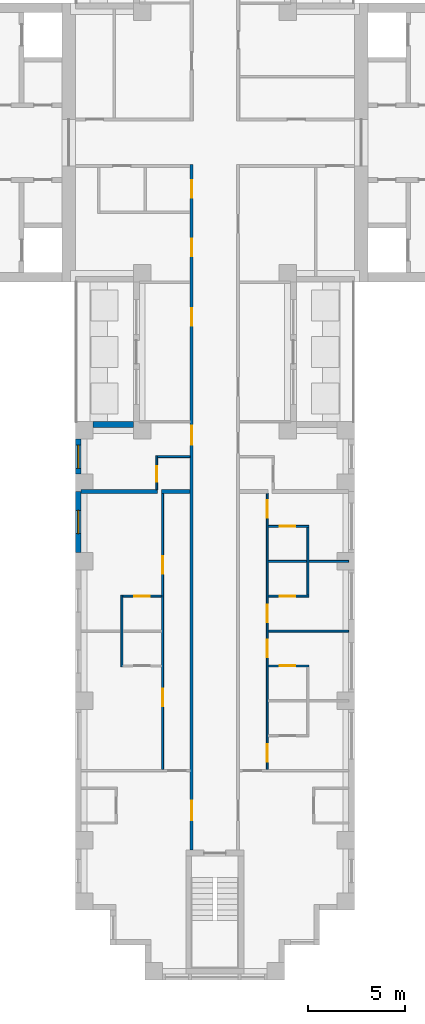
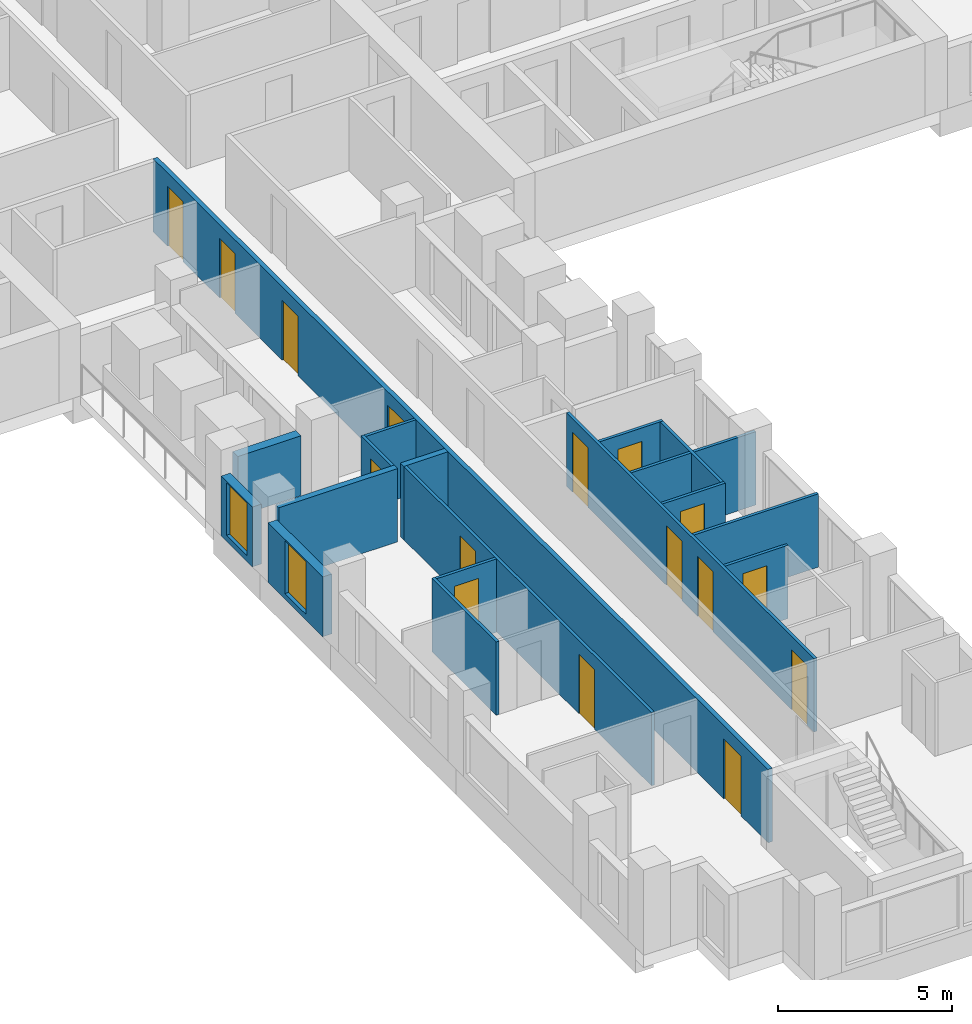
# One storey, part 4 of 15: 18 walls, 16 doors, 2 windows, 18 openings.
"""IFC4 building model written with IfcOpenShell, lengths in metres."""

from ifc_helpers import new_model, si_unit, direction, frame, frame_2d, origin, place, context, subcontext, project, spatial, rectangle, extrude, material, layer, layer_set, type_object, element, fill, save


model = new_model("IFC4")

# Units and contexts
model_context = context("Model", 3, precision=1e-05, world=origin(), true_north=direction((0.0, 1.0)))
body_context = subcontext(model_context, "Body", "Model", "MODEL_VIEW")
ifc_project = project(units=[si_unit("LENGTHUNIT", "METRE"), si_unit("AREAUNIT", "SQUARE_METRE"), si_unit("VOLUMEUNIT", "CUBIC_METRE"), si_unit("PLANEANGLEUNIT", "RADIAN"), si_unit("MASSUNIT", "GRAM", prefix="KILO")], contexts=[model_context])

# Site, building, storey
site_placement = place(None, origin())
site = spatial("IfcSite", under=ifc_project, at=site_placement, CompositionType="ELEMENT")
building_placement = place(site_placement, origin())
building = spatial("IfcBuilding", under=site, at=building_placement, Name="Fustian Cross Tower", CompositionType="ELEMENT")
storey_placement = place(building_placement, frame((0.0, 0.0, 29.699951171875)))
storey = spatial("IfcBuildingStorey", under=building, at=storey_placement, Name="L08", CompositionType="ELEMENT", Elevation=29.699951171875)

# Wall, openings, doors
ifc_material_1 = material(Name="Plasterboard on steel stud", Category="steel")
ifc_layer_1 = layer(ifc_material_1, 0.14990234375)
ifc_layer_set_1 = layer_set([ifc_layer_1], Name="Plasterboard on steel stud")
wall_type_1 = type_object("IfcWallType", Name="COMPARTMENT WALL 150 EI 60", PredefinedType="PARTITIONING", material=ifc_layer_set_1)
wall_1_placement = place(storey_placement, frame((-1.199951171875, -36.5, 0.0), z_axis=(0.0, 0.0, 1.0), x_axis=(0.0, 1.0, 0.0)))
wall_1 = element("IfcWall", 1, at=wall_1_placement, inside=storey, type_object=wall_type_1, Name="Partition 45", PredefinedType="PARTITIONING", context=body_context, shape_type="SweptSolid", body=[
    extrude(rectangle(XDim=35.375, YDim=0.14990234375, at=frame_2d((17.6875, 0.0))), origin(), (0.0, 0.0, 1.0), 2.574951171875),
])
opening_1_placement = place(wall_1_placement, frame((33.64990234375, 0.0, 0.0)))
opening_1 = element("IfcOpeningElement", 2, at=opening_1_placement, cuts=wall_1, Name="Opening D06007", PredefinedType="OPENING", context=body_context, shape_type="SweptSolid", body=[
    extrude(rectangle(XDim=0.89990234375, YDim=2.10009765625, at=frame_2d((0.449951171875, 1.050048828125))), frame((0.0, 0.0849609375, 0.0), z_axis=(0.0, -1.0, 0.0), x_axis=(1.0, 0.0, 0.0)), (0.0, 0.0, 1.0), 0.169921875),
])
opening_2_placement = place(wall_1_placement, frame((30.64990234375, 0.0, 0.0)))
opening_2 = element("IfcOpeningElement", 3, at=opening_2_placement, cuts=wall_1, Name="Opening D06009", PredefinedType="OPENING", context=body_context, shape_type="SweptSolid", body=[
    extrude(rectangle(XDim=0.89990234375, YDim=2.10009765625, at=frame_2d((0.449951171875, 1.050048828125))), frame((0.0, 0.0849609375, 0.0), z_axis=(0.0, -1.0, 0.0), x_axis=(1.0, 0.0, 0.0)), (0.0, 0.0, 1.0), 0.169921875),
])
opening_3_placement = place(wall_1_placement, frame((27.050048828125, 0.0, 0.0)))
opening_3 = element("IfcOpeningElement", 4, at=opening_3_placement, cuts=wall_1, Name="Opening D06062", PredefinedType="OPENING", context=body_context, shape_type="SweptSolid", body=[
    extrude(rectangle(XDim=0.89990234375, YDim=2.10009765625, at=frame_2d((0.449951171875, 1.050048828125))), frame((0.0, 0.0849609375, 0.0), z_axis=(0.0, -1.0, 0.0), x_axis=(1.0, 0.0, 0.0)), (0.0, 0.0, 1.0), 0.169921875),
])
opening_4_placement = place(wall_1_placement, frame((20.89990234375, 0.0, 0.0)))
opening_4 = element("IfcOpeningElement", 5, at=opening_4_placement, cuts=wall_1, Name="Opening D06064", PredefinedType="OPENING", context=body_context, shape_type="SweptSolid", body=[
    extrude(rectangle(XDim=1.0, YDim=2.10009765625, at=frame_2d((0.5, 1.050048828125))), frame((0.0, 0.0849609375, 0.0), z_axis=(0.0, -1.0, 0.0), x_axis=(1.0, 0.0, 0.0)), (0.0, 0.0, 1.0), 0.169921875),
])
opening_5_placement = place(wall_1_placement, frame((1.550048828125, 0.0, 0.0)))
opening_5 = element("IfcOpeningElement", 6, at=opening_5_placement, cuts=wall_1, Name="Opening D06066", PredefinedType="OPENING", context=body_context, shape_type="SweptSolid", body=[
    extrude(rectangle(XDim=1.0, YDim=2.10009765625, at=frame_2d((0.5, 1.050048828125))), frame((0.0, 0.0849609375, 0.0), z_axis=(0.0, -1.0, 0.0), x_axis=(1.0, 0.0, 0.0)), (0.0, 0.0, 1.0), 0.169921875),
])
ifc_material_2 = material(Name="Timber fire door set", Category="wood")
door_type_1 = type_object("IfcDoorType", Name="FIRE SWING DOOR 1000 FD30S", OperationType="SINGLE_SWING_LEFT", PredefinedType="DOOR", material=ifc_material_2)
door_1_placement = place(opening_4_placement, origin())
door_1 = element("IfcDoor", 7, at=door_1_placement, inside=storey, type_object=door_type_1, Name="Door D06064", OperationType="SINGLE_SWING_RIGHT", OverallHeight=2.10009765625, OverallWidth=1.0, PredefinedType="DOOR", context=body_context, shape_type="SweptSolid", body=[
    extrude(rectangle(XDim=1.0, YDim=2.10009765625, at=frame_2d((0.5, 1.050048828125))), frame((0.0, 0.02490234375, 0.0), z_axis=(0.0, -1.0, 0.0), x_axis=(1.0, 0.0, 0.0)), (0.0, 0.0, 1.0), 0.050048828125),
])
fill(opening_4, door_1)
door_2_placement = place(opening_5_placement, origin())
door_2 = element("IfcDoor", 8, at=door_2_placement, inside=storey, type_object=door_type_1, Name="Door D06066", OperationType="SINGLE_SWING_RIGHT", OverallHeight=2.10009765625, OverallWidth=1.0, PredefinedType="DOOR", context=body_context, shape_type="SweptSolid", body=[
    extrude(rectangle(XDim=1.0, YDim=2.10009765625, at=frame_2d((0.5, 1.050048828125))), frame((0.0, 0.02490234375, 0.0), z_axis=(0.0, -1.0, 0.0), x_axis=(1.0, 0.0, 0.0)), (0.0, 0.0, 1.0), 0.050048828125),
])
fill(opening_5, door_2)
ifc_material_3 = material(Name="Timber fire door set", Category="wood")
door_type_2 = type_object("IfcDoorType", Name="FIRE SWING DOOR 900 FD30S", OperationType="SINGLE_SWING_LEFT", PredefinedType="DOOR", material=ifc_material_3)
door_3_placement = place(opening_1_placement, origin())
door_3 = element("IfcDoor", 9, at=door_3_placement, inside=storey, type_object=door_type_2, Name="Door D06007", OperationType="SINGLE_SWING_LEFT", OverallHeight=2.10009765625, OverallWidth=0.89990234375, PredefinedType="DOOR", context=body_context, shape_type="SweptSolid", body=[
    extrude(rectangle(XDim=0.89990234375, YDim=2.10009765625, at=frame_2d((0.449951171875, 1.050048828125))), frame((0.0, 0.02490234375, 0.0), z_axis=(0.0, -1.0, 0.0), x_axis=(1.0, 0.0, 0.0)), (0.0, 0.0, 1.0), 0.050048828125),
])
fill(opening_1, door_3)
door_4_placement = place(opening_2_placement, origin())
door_4 = element("IfcDoor", 10, at=door_4_placement, inside=storey, type_object=door_type_2, Name="Door D06009", OperationType="SINGLE_SWING_LEFT", OverallHeight=2.10009765625, OverallWidth=0.89990234375, PredefinedType="DOOR", context=body_context, shape_type="SweptSolid", body=[
    extrude(rectangle(XDim=0.89990234375, YDim=2.10009765625, at=frame_2d((0.449951171875, 1.050048828125))), frame((0.0, 0.02490234375, 0.0), z_axis=(0.0, -1.0, 0.0), x_axis=(1.0, 0.0, 0.0)), (0.0, 0.0, 1.0), 0.050048828125),
])
fill(opening_2, door_4)
door_5_placement = place(opening_3_placement, origin())
door_5 = element("IfcDoor", 11, at=door_5_placement, inside=storey, type_object=door_type_2, Name="Door D06062", OperationType="SINGLE_SWING_RIGHT", OverallHeight=2.10009765625, OverallWidth=0.89990234375, PredefinedType="DOOR", context=body_context, shape_type="SweptSolid", body=[
    extrude(rectangle(XDim=0.89990234375, YDim=2.10009765625, at=frame_2d((0.449951171875, 1.050048828125))), frame((0.0, 0.02490234375, 0.0), z_axis=(0.0, -1.0, 0.0), x_axis=(1.0, 0.0, 0.0)), (0.0, 0.0, 1.0), 0.050048828125),
])
fill(opening_3, door_5)

# Wall
ifc_material_4 = material(Name="Plasterboard on steel stud", Category="steel")
ifc_layer_2 = layer(ifc_material_4, 0.10009765625)
ifc_layer_set_2 = layer_set([ifc_layer_2], Name="Plasterboard on steel stud")
wall_type_2 = type_object("IfcWallType", Name="PARTITION 100 STUD", PredefinedType="PARTITIONING", material=ifc_layer_set_2)
wall_2_placement = place(storey_placement, frame((-4.800048828125, -27.050048828125, 0.0), z_axis=(0.0, 0.0, 1.0), x_axis=(0.0, 1.0, 0.0)))
element("IfcWall", 12, at=wall_2_placement, inside=storey, type_object=wall_type_2, Name="Partition 26", PredefinedType="PARTITIONING", context=body_context, shape_type="SweptSolid", body=[
    extrude(rectangle(XDim=3.699951171875, YDim=0.10009765625, at=frame_2d((1.85009765625, 0.0))), origin(), (0.0, 0.0, 1.0), 2.574951171875),
])

# Wall, opening, door
wall_3_placement = place(storey_placement, frame((-4.75, -23.39990234375, 0.0), z_axis=(0.0, 0.0, 1.0), x_axis=(1.0, 0.0, 0.0)))
wall_3 = element("IfcWall", 13, at=wall_3_placement, inside=storey, type_object=wall_type_2, Name="Partition 28", PredefinedType="PARTITIONING", context=body_context, shape_type="SweptSolid", body=[
    extrude(rectangle(XDim=2.0, YDim=0.10009765625, at=frame_2d((1.0, 0.0))), origin(), (0.0, 0.0, 1.0), 2.574951171875),
])
opening_6_placement = place(wall_3_placement, frame((0.60009765625, 0.0, 0.0)))
opening_6 = element("IfcOpeningElement", 14, at=opening_6_placement, cuts=wall_3, Name="Opening D06070", PredefinedType="OPENING", context=body_context, shape_type="SweptSolid", body=[
    extrude(rectangle(XDim=0.800048828125, YDim=2.10009765625, at=frame_2d((0.39990234375, 1.050048828125))), frame((0.0, 0.06005859375, 0.0), z_axis=(0.0, -1.0, 0.0), x_axis=(1.0, 0.0, 0.0)), (0.0, 0.0, 1.0), 0.1201171875),
])
ifc_material_5 = material(Name="Painted timber", Category="wood")
door_type_3 = type_object("IfcDoorType", Name="SWING DOOR 800", OperationType="SINGLE_SWING_LEFT", PredefinedType="DOOR", material=ifc_material_5)
door_6_placement = place(opening_6_placement, frame((0.800048828125, 0.0, 0.0), z_axis=(0.0, 0.0, 1.0), x_axis=(-1.0, 0.0, 0.0)))
door_6 = element("IfcDoor", 15, at=door_6_placement, inside=storey, type_object=door_type_3, Name="Door D06070", OperationType="SINGLE_SWING_RIGHT", OverallHeight=2.10009765625, OverallWidth=0.800048828125, PredefinedType="DOOR", context=body_context, shape_type="SweptSolid", body=[
    extrude(rectangle(XDim=0.800048828125, YDim=2.10009765625, at=frame_2d((0.39990234375, 1.050048828125))), frame((0.0, 0.02490234375, 0.0), z_axis=(0.0, -1.0, 0.0), x_axis=(1.0, 0.0, 0.0)), (0.0, 0.0, 1.0), 0.050048828125),
])
fill(opening_6, door_6)

wall_4_placement = place(storey_placement, frame((-3.0, -17.89990234375, 0.0), z_axis=(0.0, 0.0, 1.0), x_axis=(0.0, 1.0, 0.0)))
wall_4 = element("IfcWall", 16, at=wall_4_placement, inside=storey, type_object=wall_type_2, Name="Partition 40", PredefinedType="PARTITIONING", context=body_context, shape_type="SweptSolid", body=[
    extrude(rectangle(XDim=1.75, YDim=0.10009765625, at=frame_2d((0.875, 0.0))), origin(), (0.0, 0.0, 1.0), 2.574951171875),
])
opening_7_placement = place(wall_4_placement, frame((0.39990234375, 0.0, 0.0)))
opening_7 = element("IfcOpeningElement", 17, at=opening_7_placement, cuts=wall_4, Name="Opening D06063", PredefinedType="OPENING", context=body_context, shape_type="SweptSolid", body=[
    extrude(rectangle(XDim=0.800048828125, YDim=2.10009765625, at=frame_2d((0.39990234375, 1.050048828125))), frame((0.0, 0.06005859375, 0.0), z_axis=(0.0, -1.0, 0.0), x_axis=(1.0, 0.0, 0.0)), (0.0, 0.0, 1.0), 0.1201171875),
])
door_7_placement = place(opening_7_placement, frame((0.800048828125, 0.0, 0.0), z_axis=(0.0, 0.0, 1.0), x_axis=(-1.0, 0.0, 0.0)))
door_7 = element("IfcDoor", 18, at=door_7_placement, inside=storey, type_object=door_type_3, Name="Door D06063", OperationType="SINGLE_SWING_LEFT", OverallHeight=2.10009765625, OverallWidth=0.800048828125, PredefinedType="DOOR", context=body_context, shape_type="SweptSolid", body=[
    extrude(rectangle(XDim=0.800048828125, YDim=2.10009765625, at=frame_2d((0.39990234375, 1.050048828125))), frame((0.0, 0.02490234375, 0.0), z_axis=(0.0, -1.0, 0.0), x_axis=(1.0, 0.0, 0.0)), (0.0, 0.0, 1.0), 0.050048828125),
])
fill(opening_7, door_7)

# Wall
wall_5_placement = place(storey_placement, frame((-2.949951171875, -16.199951171875, 0.0), z_axis=(0.0, 0.0, 1.0), x_axis=(1.0, 0.0, 0.0)))
element("IfcWall", 19, at=wall_5_placement, inside=storey, type_object=wall_type_2, Name="Partition 41", PredefinedType="PARTITIONING", context=body_context, shape_type="SweptSolid", body=[
    extrude(rectangle(XDim=1.675048828125, YDim=0.10009765625, at=frame_2d((0.83740234375, 0.0))), origin(), (0.0, 0.0, 1.0), 2.574951171875),
])

# Wall, openings, doors
wall_6_placement = place(storey_placement, frame((-2.699951171875, -32.35009765625, 0.0), z_axis=(0.0, 0.0, 1.0), x_axis=(0.0, 1.0, 0.0)))
wall_6 = element("IfcWall", 20, at=wall_6_placement, inside=storey, type_object=wall_type_2, Name="Partition 42", PredefinedType="PARTITIONING", context=body_context, shape_type="SweptSolid", body=[
    extrude(rectangle(XDim=14.25, YDim=0.10009765625, at=frame_2d((7.125, 0.0))), origin(), (0.0, 0.0, 1.0), 2.574951171875),
])
opening_8_placement = place(wall_6_placement, frame((3.280029296875, 0.0, 0.0)))
opening_8 = element("IfcOpeningElement", 21, at=opening_8_placement, cuts=wall_6, Name="Opening D06067", PredefinedType="OPENING", context=body_context, shape_type="SweptSolid", body=[
    extrude(rectangle(XDim=0.89990234375, YDim=2.10009765625, at=frame_2d((0.449951171875, 1.050048828125))), frame((0.0, 0.06005859375, 0.0), z_axis=(0.0, -1.0, 0.0), x_axis=(1.0, 0.0, 0.0)), (0.0, 0.0, 1.0), 0.1201171875),
])
opening_9_placement = place(wall_6_placement, frame((10.119873046875, 0.0, 0.0)))
opening_9 = element("IfcOpeningElement", 22, at=opening_9_placement, cuts=wall_6, Name="Opening D06068", PredefinedType="OPENING", context=body_context, shape_type="SweptSolid", body=[
    extrude(rectangle(XDim=0.89990234375, YDim=2.10009765625, at=frame_2d((0.449951171875, 1.050048828125))), frame((0.0, 0.06005859375, 0.0), z_axis=(0.0, -1.0, 0.0), x_axis=(1.0, 0.0, 0.0)), (0.0, 0.0, 1.0), 0.1201171875),
])
ifc_material_6 = material(Name="Painted timber", Category="wood")
door_type_4 = type_object("IfcDoorType", Name="SWING DOOR 900", OperationType="SINGLE_SWING_LEFT", PredefinedType="DOOR", material=ifc_material_6)
door_8_placement = place(opening_8_placement, frame((0.89990234375, 0.0, 0.0), z_axis=(0.0, 0.0, 1.0), x_axis=(-1.0, 0.0, 0.0)))
door_8 = element("IfcDoor", 23, at=door_8_placement, inside=storey, type_object=door_type_4, Name="Door D06067", OperationType="SINGLE_SWING_RIGHT", OverallHeight=2.10009765625, OverallWidth=0.89990234375, PredefinedType="DOOR", context=body_context, shape_type="SweptSolid", body=[
    extrude(rectangle(XDim=0.89990234375, YDim=2.10009765625, at=frame_2d((0.449951171875, 1.050048828125))), frame((0.0, 0.02490234375, 0.0), z_axis=(0.0, -1.0, 0.0), x_axis=(1.0, 0.0, 0.0)), (0.0, 0.0, 1.0), 0.050048828125),
])
fill(opening_8, door_8)
door_9_placement = place(opening_9_placement, frame((0.89990234375, 0.0, 0.0), z_axis=(0.0, 0.0, 1.0), x_axis=(-1.0, 0.0, 0.0)))
door_9 = element("IfcDoor", 24, at=door_9_placement, inside=storey, type_object=door_type_4, Name="Door D06068", OperationType="SINGLE_SWING_LEFT", OverallHeight=2.10009765625, OverallWidth=0.89990234375, PredefinedType="DOOR", context=body_context, shape_type="SweptSolid", body=[
    extrude(rectangle(XDim=0.89990234375, YDim=2.10009765625, at=frame_2d((0.449951171875, 1.050048828125))), frame((0.0, 0.02490234375, 0.0), z_axis=(0.0, -1.0, 0.0), x_axis=(1.0, 0.0, 0.0)), (0.0, 0.0, 1.0), 0.050048828125),
])
fill(opening_9, door_9)

wall_7_placement = place(storey_placement, frame((2.699951171875, -32.35009765625, 0.0), z_axis=(0.0, 0.0, 1.0), x_axis=(0.0, 1.0, 0.0)))
wall_7 = element("IfcWall", 25, at=wall_7_placement, inside=storey, type_object=wall_type_2, Name="Partition 62", PredefinedType="PARTITIONING", context=body_context, shape_type="SweptSolid", body=[
    extrude(rectangle(XDim=14.25, YDim=0.10009765625, at=frame_2d((7.125, 0.0))), origin(), (0.0, 0.0, 1.0), 2.574951171875),
])
opening_10_placement = place(wall_7_placement, frame((0.400146484375, 0.0, 0.0)))
opening_10 = element("IfcOpeningElement", 26, at=opening_10_placement, cuts=wall_7, Name="Opening D06054", PredefinedType="OPENING", context=body_context, shape_type="SweptSolid", body=[
    extrude(rectangle(XDim=0.89990234375, YDim=2.10009765625, at=frame_2d((0.449951171875, 1.050048828125))), frame((0.0, 0.06005859375, 0.0), z_axis=(0.0, -1.0, 0.0), x_axis=(1.0, 0.0, 0.0)), (0.0, 0.0, 1.0), 0.1201171875),
])
opening_11_placement = place(wall_7_placement, frame((5.800048828125, 0.0, 0.0)))
opening_11 = element("IfcOpeningElement", 27, at=opening_11_placement, cuts=wall_7, Name="Opening D06055", PredefinedType="OPENING", context=body_context, shape_type="SweptSolid", body=[
    extrude(rectangle(XDim=0.89990234375, YDim=2.10009765625, at=frame_2d((0.449951171875, 1.050048828125))), frame((0.0, 0.06005859375, 0.0), z_axis=(0.0, -1.0, 0.0), x_axis=(1.0, 0.0, 0.0)), (0.0, 0.0, 1.0), 0.1201171875),
])
opening_12_placement = place(wall_7_placement, frame((7.60009765625, 0.0, 0.0)))
opening_12 = element("IfcOpeningElement", 28, at=opening_12_placement, cuts=wall_7, Name="Opening D06056", PredefinedType="OPENING", context=body_context, shape_type="SweptSolid", body=[
    extrude(rectangle(XDim=0.89990234375, YDim=2.10009765625, at=frame_2d((0.449951171875, 1.050048828125))), frame((0.0, 0.06005859375, 0.0), z_axis=(0.0, -1.0, 0.0), x_axis=(1.0, 0.0, 0.0)), (0.0, 0.0, 1.0), 0.1201171875),
])
opening_13_placement = place(wall_7_placement, frame((13.0, 0.0, 0.0)))
opening_13 = element("IfcOpeningElement", 29, at=opening_13_placement, cuts=wall_7, Name="Opening D06057", PredefinedType="OPENING", context=body_context, shape_type="SweptSolid", body=[
    extrude(rectangle(XDim=0.89990234375, YDim=2.10009765625, at=frame_2d((0.449951171875, 1.050048828125))), frame((0.0, 0.06005859375, 0.0), z_axis=(0.0, -1.0, 0.0), x_axis=(1.0, 0.0, 0.0)), (0.0, 0.0, 1.0), 0.1201171875),
])
door_10_placement = place(opening_10_placement, frame((0.89990234375, 0.0, 0.0), z_axis=(0.0, 0.0, 1.0), x_axis=(-1.0, 0.0, 0.0)))
door_10 = element("IfcDoor", 30, at=door_10_placement, inside=storey, type_object=door_type_4, Name="Door D06054", OperationType="SINGLE_SWING_RIGHT", OverallHeight=2.10009765625, OverallWidth=0.89990234375, PredefinedType="DOOR", context=body_context, shape_type="SweptSolid", body=[
    extrude(rectangle(XDim=0.89990234375, YDim=2.10009765625, at=frame_2d((0.449951171875, 1.050048828125))), frame((0.0, 0.02490234375, 0.0), z_axis=(0.0, -1.0, 0.0), x_axis=(1.0, 0.0, 0.0)), (0.0, 0.0, 1.0), 0.050048828125),
])
fill(opening_10, door_10)
door_11_placement = place(opening_11_placement, frame((0.89990234375, 0.0, 0.0), z_axis=(0.0, 0.0, 1.0), x_axis=(-1.0, 0.0, 0.0)))
door_11 = element("IfcDoor", 31, at=door_11_placement, inside=storey, type_object=door_type_4, Name="Door D06055", OperationType="SINGLE_SWING_RIGHT", OverallHeight=2.10009765625, OverallWidth=0.89990234375, PredefinedType="DOOR", context=body_context, shape_type="SweptSolid", body=[
    extrude(rectangle(XDim=0.89990234375, YDim=2.10009765625, at=frame_2d((0.449951171875, 1.050048828125))), frame((0.0, 0.02490234375, 0.0), z_axis=(0.0, -1.0, 0.0), x_axis=(1.0, 0.0, 0.0)), (0.0, 0.0, 1.0), 0.050048828125),
])
fill(opening_11, door_11)
door_12_placement = place(opening_12_placement, frame((0.89990234375, 0.0, 0.0), z_axis=(0.0, 0.0, 1.0), x_axis=(-1.0, 0.0, 0.0)))
door_12 = element("IfcDoor", 32, at=door_12_placement, inside=storey, type_object=door_type_4, Name="Door D06056", OperationType="SINGLE_SWING_RIGHT", OverallHeight=2.10009765625, OverallWidth=0.89990234375, PredefinedType="DOOR", context=body_context, shape_type="SweptSolid", body=[
    extrude(rectangle(XDim=0.89990234375, YDim=2.10009765625, at=frame_2d((0.449951171875, 1.050048828125))), frame((0.0, 0.02490234375, 0.0), z_axis=(0.0, -1.0, 0.0), x_axis=(1.0, 0.0, 0.0)), (0.0, 0.0, 1.0), 0.050048828125),
])
fill(opening_12, door_12)
door_13_placement = place(opening_13_placement, frame((0.89990234375, 0.0, 0.0), z_axis=(0.0, 0.0, 1.0), x_axis=(-1.0, 0.0, 0.0)))
door_13 = element("IfcDoor", 33, at=door_13_placement, inside=storey, type_object=door_type_4, Name="Door D06057", OperationType="SINGLE_SWING_RIGHT", OverallHeight=2.10009765625, OverallWidth=0.89990234375, PredefinedType="DOOR", context=body_context, shape_type="SweptSolid", body=[
    extrude(rectangle(XDim=0.89990234375, YDim=2.10009765625, at=frame_2d((0.449951171875, 1.050048828125))), frame((0.0, 0.02490234375, 0.0), z_axis=(0.0, -1.0, 0.0), x_axis=(1.0, 0.0, 0.0)), (0.0, 0.0, 1.0), 0.050048828125),
])
fill(opening_13, door_13)

# Wall, opening, door
wall_8_placement = place(storey_placement, frame((2.75, -27.0, 0.0), z_axis=(0.0, 0.0, 1.0), x_axis=(1.0, 0.0, 0.0)))
wall_8 = element("IfcWall", 34, at=wall_8_placement, inside=storey, type_object=wall_type_2, Name="Partition 65", PredefinedType="PARTITIONING", context=body_context, shape_type="SweptSolid", body=[
    extrude(rectangle(XDim=2.10009765625, YDim=0.10009765625, at=frame_2d((1.050048828125, 0.0))), origin(), (0.0, 0.0, 1.0), 2.574951171875),
])
opening_14_placement = place(wall_8_placement, frame((0.60009765625, 0.0, 0.0)))
opening_14 = element("IfcOpeningElement", 35, at=opening_14_placement, cuts=wall_8, Name="Opening D06060", PredefinedType="OPENING", context=body_context, shape_type="SweptSolid", body=[
    extrude(rectangle(XDim=0.800048828125, YDim=2.10009765625, at=frame_2d((0.39990234375, 1.050048828125))), frame((0.0, 0.06005859375, 0.0), z_axis=(0.0, -1.0, 0.0), x_axis=(1.0, 0.0, 0.0)), (0.0, 0.0, 1.0), 0.1201171875),
])
door_14_placement = place(opening_14_placement, frame((0.800048828125, 0.0, 0.0), z_axis=(0.0, 0.0, 1.0), x_axis=(-1.0, 0.0, 0.0)))
door_14 = element("IfcDoor", 36, at=door_14_placement, inside=storey, type_object=door_type_3, Name="Door D06060", OperationType="SINGLE_SWING_RIGHT", OverallHeight=2.10009765625, OverallWidth=0.800048828125, PredefinedType="DOOR", context=body_context, shape_type="SweptSolid", body=[
    extrude(rectangle(XDim=0.800048828125, YDim=2.10009765625, at=frame_2d((0.39990234375, 1.050048828125))), frame((0.0, 0.02490234375, 0.0), z_axis=(0.0, -1.0, 0.0), x_axis=(1.0, 0.0, 0.0)), (0.0, 0.0, 1.0), 0.050048828125),
])
fill(opening_14, door_14)

# Wall
wall_9_placement = place(storey_placement, frame((2.75, -25.199951171875, 0.0), z_axis=(0.0, 0.0, 1.0), x_axis=(1.0, 0.0, 0.0)))
element("IfcWall", 37, at=wall_9_placement, inside=storey, type_object=wall_type_2, Name="Partition 66", PredefinedType="PARTITIONING", context=body_context, shape_type="SweptSolid", body=[
    extrude(rectangle(XDim=4.14990234375, YDim=0.10009765625, at=frame_2d((2.074951171875, 0.0))), origin(), (0.0, 0.0, 1.0), 2.574951171875),
])

# Wall, opening, door
wall_10_placement = place(storey_placement, frame((2.75, -23.39990234375, 0.0), z_axis=(0.0, 0.0, 1.0), x_axis=(1.0, 0.0, 0.0)))
wall_10 = element("IfcWall", 38, at=wall_10_placement, inside=storey, type_object=wall_type_2, Name="Partition 67", PredefinedType="PARTITIONING", context=body_context, shape_type="SweptSolid", body=[
    extrude(rectangle(XDim=2.10009765625, YDim=0.10009765625, at=frame_2d((1.050048828125, 0.0))), origin(), (0.0, 0.0, 1.0), 2.574951171875),
])
opening_15_placement = place(wall_10_placement, frame((0.60009765625, 0.0, 0.0)))
opening_15 = element("IfcOpeningElement", 39, at=opening_15_placement, cuts=wall_10, Name="Opening D06059", PredefinedType="OPENING", context=body_context, shape_type="SweptSolid", body=[
    extrude(rectangle(XDim=0.800048828125, YDim=2.10009765625, at=frame_2d((0.39990234375, 1.050048828125))), frame((0.0, 0.06005859375, 0.0), z_axis=(0.0, -1.0, 0.0), x_axis=(1.0, 0.0, 0.0)), (0.0, 0.0, 1.0), 0.1201171875),
])
door_15_placement = place(opening_15_placement, origin())
door_15 = element("IfcDoor", 40, at=door_15_placement, inside=storey, type_object=door_type_3, Name="Door D06059", OperationType="SINGLE_SWING_LEFT", OverallHeight=2.10009765625, OverallWidth=0.800048828125, PredefinedType="DOOR", context=body_context, shape_type="SweptSolid", body=[
    extrude(rectangle(XDim=0.800048828125, YDim=2.10009765625, at=frame_2d((0.39990234375, 1.050048828125))), frame((0.0, 0.02490234375, 0.0), z_axis=(0.0, -1.0, 0.0), x_axis=(1.0, 0.0, 0.0)), (0.0, 0.0, 1.0), 0.050048828125),
])
fill(opening_15, door_15)

# Wall
wall_11_placement = place(storey_placement, frame((2.75, -21.60009765625, 0.0), z_axis=(0.0, 0.0, 1.0), x_axis=(1.0, 0.0, 0.0)))
element("IfcWall", 41, at=wall_11_placement, inside=storey, type_object=wall_type_2, Name="Partition 68", PredefinedType="PARTITIONING", context=body_context, shape_type="SweptSolid", body=[
    extrude(rectangle(XDim=4.14990234375, YDim=0.10009765625, at=frame_2d((2.074951171875, 0.0))), origin(), (0.0, 0.0, 1.0), 2.574951171875),
])

# Wall, opening, door
wall_12_placement = place(storey_placement, frame((2.75, -19.800048828125, 0.0), z_axis=(0.0, 0.0, 1.0), x_axis=(1.0, 0.0, 0.0)))
wall_12 = element("IfcWall", 42, at=wall_12_placement, inside=storey, type_object=wall_type_2, Name="Partition 69", PredefinedType="PARTITIONING", context=body_context, shape_type="SweptSolid", body=[
    extrude(rectangle(XDim=2.10009765625, YDim=0.10009765625, at=frame_2d((1.050048828125, 0.0))), origin(), (0.0, 0.0, 1.0), 2.574951171875),
])
opening_16_placement = place(wall_12_placement, frame((0.60009765625, 0.0, 0.0)))
opening_16 = element("IfcOpeningElement", 43, at=opening_16_placement, cuts=wall_12, Name="Opening D06058", PredefinedType="OPENING", context=body_context, shape_type="SweptSolid", body=[
    extrude(rectangle(XDim=0.800048828125, YDim=2.10009765625, at=frame_2d((0.39990234375, 1.050048828125))), frame((0.0, 0.06005859375, 0.0), z_axis=(0.0, -1.0, 0.0), x_axis=(1.0, 0.0, 0.0)), (0.0, 0.0, 1.0), 0.1201171875),
])
door_16_placement = place(opening_16_placement, frame((0.800048828125, 0.0, 0.0), z_axis=(0.0, 0.0, 1.0), x_axis=(-1.0, 0.0, 0.0)))
door_16 = element("IfcDoor", 44, at=door_16_placement, inside=storey, type_object=door_type_3, Name="Door D06058", OperationType="SINGLE_SWING_RIGHT", OverallHeight=2.10009765625, OverallWidth=0.800048828125, PredefinedType="DOOR", context=body_context, shape_type="SweptSolid", body=[
    extrude(rectangle(XDim=0.800048828125, YDim=2.10009765625, at=frame_2d((0.39990234375, 1.050048828125))), frame((0.0, 0.02490234375, 0.0), z_axis=(0.0, -1.0, 0.0), x_axis=(1.0, 0.0, 0.0)), (0.0, 0.0, 1.0), 0.050048828125),
])
fill(opening_16, door_16)

# Walls
wall_13_placement = place(storey_placement, frame((4.800048828125, -23.35009765625, 0.0), z_axis=(0.0, 0.0, 1.0), x_axis=(0.0, 1.0, 0.0)))
element("IfcWall", 45, at=wall_13_placement, inside=storey, type_object=wall_type_2, Name="Partition 79", PredefinedType="PARTITIONING", context=body_context, shape_type="SweptSolid", body=[
    extrude(rectangle(XDim=3.5, YDim=0.10009765625, at=frame_2d((1.75, 0.0))), origin(), (0.0, 0.0, 1.0), 2.574951171875),
])
ifc_material_7 = material(Name="Plasterboard on steel stud", Category="steel")
ifc_layer_3 = layer(ifc_material_7, 0.199951171875)
ifc_layer_set_3 = layer_set([ifc_layer_3], Name="Plasterboard on steel stud")
wall_type_3 = type_object("IfcWallType", Name="PARTY WALL 200 EI 60", PredefinedType="PARTITIONING", material=ifc_layer_set_3)
wall_14_placement = place(storey_placement, frame((-6.89990234375, -18.0, 0.0), z_axis=(0.0, 0.0, 1.0), x_axis=(1.0, 0.0, 0.0)))
element("IfcWall", 46, at=wall_14_placement, inside=storey, type_object=wall_type_3, Name="Partition 13", PredefinedType="PARTITIONING", context=body_context, shape_type="SweptSolid", body=[
    extrude(rectangle(XDim=3.949951171875, YDim=0.199951171875, at=frame_2d((1.97509765625, 0.0))), origin(), (0.0, 0.0, 1.0), 2.574951171875),
])
wall_15_placement = place(storey_placement, frame((-2.75, -18.0, 0.0), z_axis=(0.0, 0.0, 1.0), x_axis=(1.0, 0.0, 0.0)))
element("IfcWall", 47, at=wall_15_placement, inside=storey, type_object=wall_type_3, Name="Partition 43", PredefinedType="PARTITIONING", context=body_context, shape_type="SweptSolid", body=[
    extrude(rectangle(XDim=1.47509765625, YDim=0.199951171875, at=frame_2d((0.737548828125, 0.0))), origin(), (0.0, 0.0, 1.0), 2.574951171875),
])
ifc_material_8 = material(Name="Dark aluminium cladding on insulated backing wall", Category="aluminium")
ifc_layer_4 = layer(ifc_material_8, 0.300048828125)
ifc_layer_set_4 = layer_set([ifc_layer_4], Name="Dark aluminium cladding on insulated backing wall")
wall_type_4 = type_object("IfcWallType", Name="XW1 EXTERNAL WALL 300", PredefinedType="SOLIDWALL", material=ifc_layer_set_4)
wall_16_placement = place(storey_placement, frame((-4.199951171875, -14.550048828125, 0.0), z_axis=(0.0, 0.0, 1.0), x_axis=(-1.0, 0.0, 0.0)))
element("IfcWall", 48, at=wall_16_placement, inside=storey, type_object=wall_type_4, Name="External wall", PredefinedType="SOLIDWALL", context=body_context, shape_type="SweptSolid", body=[
    extrude(rectangle(XDim=2.10009765625, YDim=0.300048828125, at=frame_2d((1.050048828125, 0.0))), origin(), (0.0, 0.0, 1.0), 2.10009765625),
])

# Wall, opening, window
wall_17_placement = place(storey_placement, frame((-7.050048828125, -15.300048828125, 0.0), z_axis=(0.0, 0.0, 1.0), x_axis=(0.0, -1.0, 0.0)))
wall_17 = element("IfcWall", 49, at=wall_17_placement, inside=storey, type_object=wall_type_4, Name="External wall", PredefinedType="SOLIDWALL", context=body_context, shape_type="SweptSolid", body=[
    extrude(rectangle(XDim=1.800048828125, YDim=0.300048828125, at=frame_2d((0.89990234375, 0.0))), origin(), (0.0, 0.0, 1.0), 2.10009765625),
])
opening_17_placement = place(wall_17_placement, frame((0.300048828125, 0.0, 0.199951171875)))
opening_17 = element("IfcOpeningElement", 50, at=opening_17_placement, cuts=wall_17, Name="Opening WN3", PredefinedType="OPENING", context=body_context, shape_type="SweptSolid", body=[
    extrude(rectangle(XDim=1.199951171875, YDim=1.85009765625, at=frame_2d((0.60009765625, 0.925048828125))), frame((0.0, 0.159912109375, 0.0), z_axis=(0.0, -1.0, 0.0), x_axis=(1.0, 0.0, 0.0)), (0.0, 0.0, 1.0), 0.320068359375),
])
ifc_material_9 = material(Name="Dark anodised aluminium and double glazing", Category="aluminium")
window_type = type_object("IfcWindowType", Name="WN3 WINDOW 1200X1850", PartitioningType="SINGLE_PANEL", PredefinedType="WINDOW", material=ifc_material_9)
window_1_placement = place(opening_17_placement, origin())
window_1 = element("IfcWindow", 51, at=window_1_placement, inside=storey, type_object=window_type, Name="Window", OverallHeight=1.85009765625, OverallWidth=1.199951171875, PartitioningType="SINGLE_PANEL", PredefinedType="WINDOW", context=body_context, shape_type="SweptSolid", body=[
    extrude(rectangle(XDim=1.199951171875, YDim=1.85009765625, at=frame_2d((0.60009765625, 0.925048828125))), frame((0.0, 0.030029296875, 0.0), z_axis=(0.0, -1.0, 0.0), x_axis=(1.0, 0.0, 0.0)), (0.0, 0.0, 1.0), 0.06005859375),
])
fill(opening_17, window_1)

wall_18_placement = place(storey_placement, frame((-7.050048828125, -18.0, 0.0), z_axis=(0.0, 0.0, 1.0), x_axis=(0.0, -1.0, 0.0)))
wall_18 = element("IfcWall", 52, at=wall_18_placement, inside=storey, type_object=wall_type_4, Name="External wall", PredefinedType="SOLIDWALL", context=body_context, shape_type="SweptSolid", body=[
    extrude(rectangle(XDim=3.14990234375, YDim=0.300048828125, at=frame_2d((1.574951171875, 0.0))), origin(), (0.0, 0.0, 1.0), 2.10009765625),
])
opening_18_placement = place(wall_18_placement, frame((0.97509765625, 0.0, 0.199951171875)))
opening_18 = element("IfcOpeningElement", 53, at=opening_18_placement, cuts=wall_18, Name="Opening WN3", PredefinedType="OPENING", context=body_context, shape_type="SweptSolid", body=[
    extrude(rectangle(XDim=1.199951171875, YDim=1.85009765625, at=frame_2d((0.60009765625, 0.925048828125))), frame((0.0, 0.159912109375, 0.0), z_axis=(0.0, -1.0, 0.0), x_axis=(1.0, 0.0, 0.0)), (0.0, 0.0, 1.0), 0.320068359375),
])
window_2_placement = place(opening_18_placement, origin())
window_2 = element("IfcWindow", 54, at=window_2_placement, inside=storey, type_object=window_type, Name="Window", OverallHeight=1.85009765625, OverallWidth=1.199951171875, PartitioningType="SINGLE_PANEL", PredefinedType="WINDOW", context=body_context, shape_type="SweptSolid", body=[
    extrude(rectangle(XDim=1.199951171875, YDim=1.85009765625, at=frame_2d((0.60009765625, 0.925048828125))), frame((0.0, 0.030029296875, 0.0), z_axis=(0.0, -1.0, 0.0), x_axis=(1.0, 0.0, 0.0)), (0.0, 0.0, 1.0), 0.06005859375),
])
fill(opening_18, window_2)

save(model, "model.ifc")
